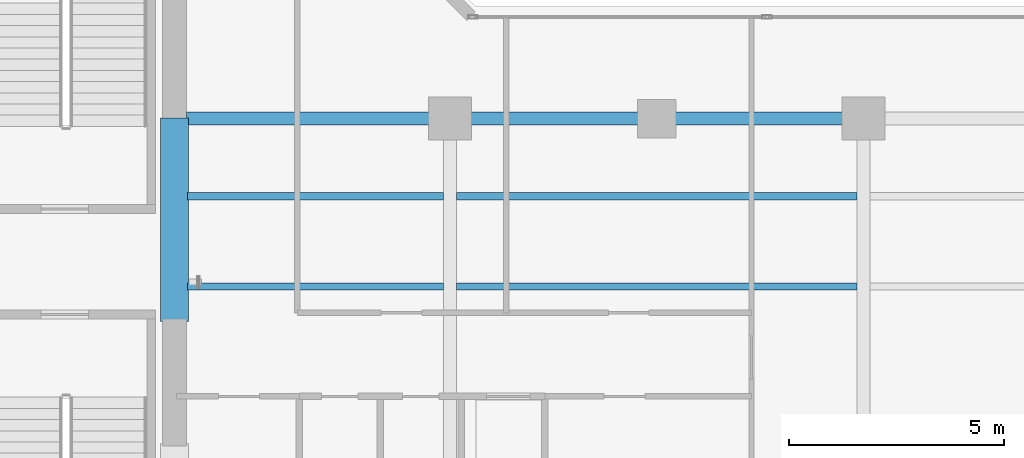
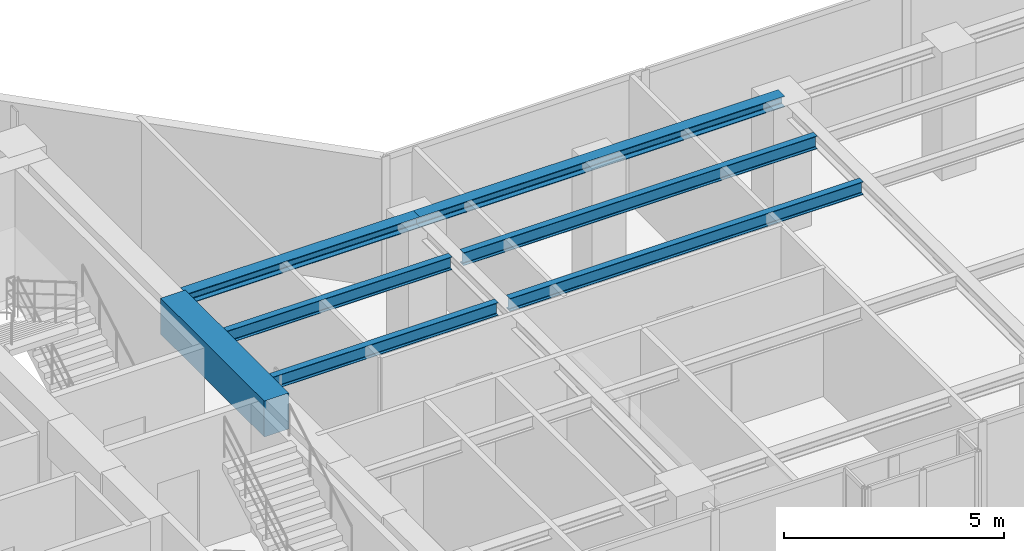
# One storey, part 6 of 25: 7 beams.
"""IFC4 building model written with IfcOpenShell, lengths in metres."""

from ifc_helpers import new_model, si_unit, direction, frame, origin, origin_2d, place, context, subcontext, project, spatial, rectangle, i_section, extrude, material, material_profile, profile_set, type_object, element, save


model = new_model("IFC4")

# Units and contexts
model_context = context("Model", 3, precision=1e-05, world=origin(), true_north=direction((0.0, 1.0)))
body_context = subcontext(model_context, "Body", "Model", "MODEL_VIEW")
ifc_project = project(units=[si_unit("LENGTHUNIT", "METRE"), si_unit("AREAUNIT", "SQUARE_METRE"), si_unit("VOLUMEUNIT", "CUBIC_METRE"), si_unit("PLANEANGLEUNIT", "RADIAN"), si_unit("MASSUNIT", "GRAM", prefix="KILO")], contexts=[model_context])

# Site, building, storey
site_placement = place(None, origin())
site = spatial("IfcSite", under=ifc_project, at=site_placement, CompositionType="ELEMENT")
building_placement = place(site_placement, origin())
building = spatial("IfcBuilding", under=site, at=building_placement, Name="Kolvaren Waterfront Exchange", CompositionType="ELEMENT")
storey_placement = place(building_placement, frame((0.0, 0.0, 204.5)))
storey = spatial("IfcBuildingStorey", under=building, at=storey_placement, Name="L52", CompositionType="ELEMENT", Elevation=204.5)

# Beams
ifc_material_1 = material(Name="Steel S355", Category="steel")
ifc_material_profile_1 = material_profile(ifc_material_1, i_section(OverallWidth=0.300048828125, OverallDepth=0.300048828125, WebThickness=0.010986328125, FlangeThickness=0.01904296875, FilletRadius=0.027099609375, at=origin_2d()), Name="HEB300")
ifc_profile_set_1 = profile_set([ifc_material_profile_1], Name="Steel S355")
beam_type_1 = type_object("IfcBeamType", Name="STR-BM-HEB300", PredefinedType="SPANDREL", material=ifc_profile_set_1)
beam_1_placement = place(storey_placement, frame((21.074951171875, 17.39990234375, 3.409912109375), z_axis=(1.0, 0.0, 0.0), x_axis=(0.0, 1.0, 0.0)))
element("IfcBeam", 1, at=beam_1_placement, inside=storey, type_object=beam_type_1, Name="L52 east-arm spandrel N1", PredefinedType="SPANDREL", context=body_context, shape_type="SweptSolid", body=[
    extrude(i_section(OverallWidth=0.300048828125, OverallDepth=0.300048828125, WebThickness=0.010986328125, FlangeThickness=0.01904296875, FilletRadius=0.027099609375, at=origin_2d()), origin(), (0.0, 0.0, 1.0), 6.125),
])
beam_2_placement = place(storey_placement, frame((27.199951171875, 17.39990234375, 3.409912109375), z_axis=(1.0, 0.0, 0.0), x_axis=(0.0, 1.0, 0.0)))
element("IfcBeam", 2, at=beam_2_placement, inside=storey, type_object=beam_type_1, Name="L52 east-arm spandrel N2", PredefinedType="SPANDREL", context=body_context, shape_type="SweptSolid", body=[
    extrude(i_section(OverallWidth=0.300048828125, OverallDepth=0.300048828125, WebThickness=0.010986328125, FlangeThickness=0.01904296875, FilletRadius=0.027099609375, at=origin_2d()), origin(), (0.0, 0.0, 1.0), 9.60009765625),
])
ifc_material_profile_2 = material_profile(ifc_material_1, i_section(OverallWidth=0.169921875, OverallDepth=0.360107421875, WebThickness=0.008056640625, FlangeThickness=0.0126953125, FilletRadius=0.01806640625, at=origin_2d()), Name="IPE360")
ifc_profile_set_2 = profile_set([ifc_material_profile_2], Name="Steel S355")
beam_type_2 = type_object("IfcBeamType", Name="STR-BM-IPE360", PredefinedType="JOIST", material=ifc_profile_set_2)
for number, where, z_axis, x_axis, name in (
    (3, (21.10009765625, 13.5, 3.3798828125), (1.0, 0.0, 0.0), (0.0, 1.0, 0.0), "L52 east-arm composite joist 1A"),
    (4, (21.10009765625, 15.60009765625, 3.3798828125), (1.0, 0.0, 0.0), (0.0, 1.0, 0.0), "L52 east-arm composite joist 1C"),
):
    element("IfcBeam", number, at=place(storey_placement, frame(where, z_axis=z_axis, x_axis=x_axis)), inside=storey, type_object=beam_type_2, Name=name, PredefinedType="JOIST", context=body_context, shape_type="SweptSolid", body=[
        extrude(i_section(OverallWidth=0.169921875, OverallDepth=0.360107421875, WebThickness=0.008056640625, FlangeThickness=0.0126953125, FilletRadius=0.01806640625, at=origin_2d()), origin(), (0.0, 0.0, 1.0), 5.947998046875),
    ])
for number, where, z_axis, x_axis, name in (
    (5, (27.35205078125, 13.5, 3.3798828125), (1.0, 0.0, 0.0), (0.0, 1.0, 0.0), "L52 east-arm composite joist 2A"),
    (6, (27.35205078125, 15.60009765625, 3.3798828125), (1.0, 0.0, 0.0), (0.0, 1.0, 0.0), "L52 east-arm composite joist 2C"),
):
    element("IfcBeam", number, at=place(storey_placement, frame(where, z_axis=z_axis, x_axis=x_axis)), inside=storey, type_object=beam_type_2, Name=name, PredefinedType="JOIST", context=body_context, shape_type="SweptSolid", body=[
        extrude(i_section(OverallWidth=0.169921875, OverallDepth=0.360107421875, WebThickness=0.008056640625, FlangeThickness=0.0126953125, FilletRadius=0.01806640625, at=origin_2d()), origin(), (0.0, 0.0, 1.0), 9.2958984375),
    ])
ifc_material_2 = material(Name="Concrete C60/75", Category="concrete")
ifc_material_profile_3 = material_profile(ifc_material_2, rectangle(XDim=0.64990234375, YDim=1.0, at=origin_2d()), Name="RC-CB-1000x650")
ifc_profile_set_3 = profile_set([ifc_material_profile_3], Name="Concrete C60/75")
beam_type_3 = type_object("IfcBeamType", Name="STR-CB-1000", PredefinedType="SPANDREL", material=ifc_profile_set_3)
beam_3_placement = place(storey_placement, frame((20.800048828125, 12.68994140625, 3.06005859375), z_axis=(0.0, 1.0, 0.0), x_axis=(-1.0, 0.0, 0.0)))
element("IfcBeam", 7, at=beam_3_placement, inside=storey, type_object=beam_type_3, Name="L52 core coupling beam 2", PredefinedType="SPANDREL", context=body_context, shape_type="SweptSolid", body=[
    extrude(rectangle(XDim=0.64990234375, YDim=1.0, at=origin_2d()), origin(), (0.0, 0.0, 1.0), 4.719970703125),
])

save(model, "model.ifc")
